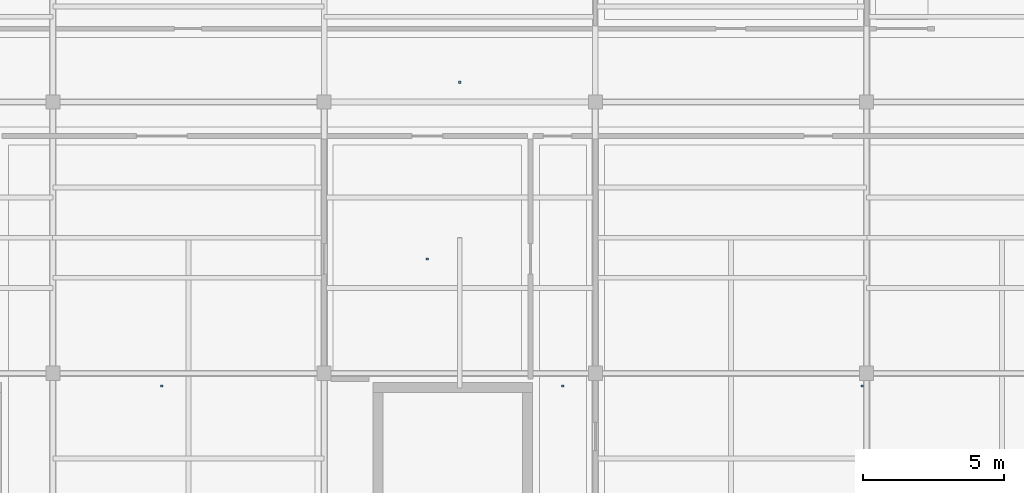
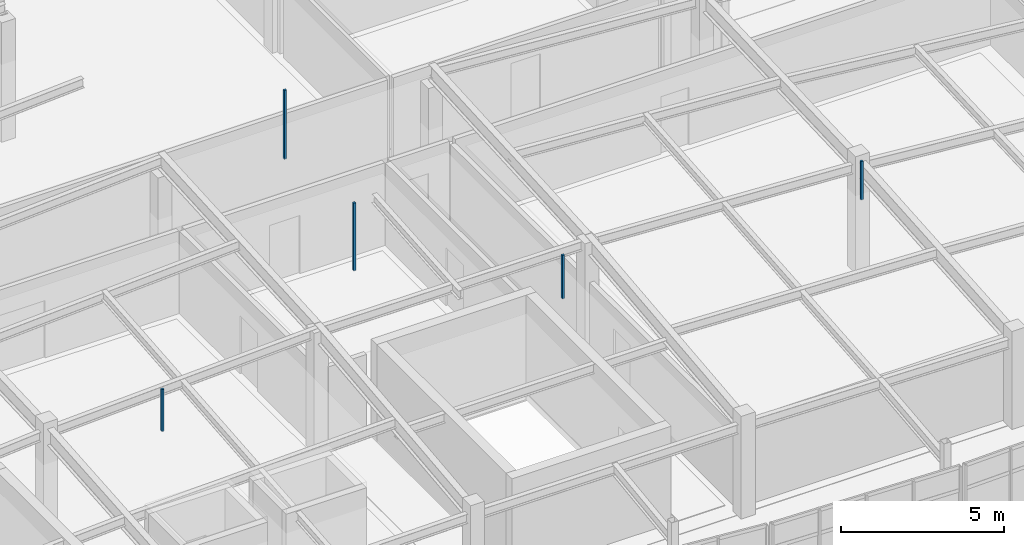
# One storey, part 62 of 65: 5 discrete accessories.
"""IFC4 building model written with IfcOpenShell, lengths in metres."""

import ifcopenshell
import ifcopenshell.guid

model = None  # the IFC model being written
_history = None  # IfcOwnerHistory: only IFC2X3 demands one
_inside = {}  # id of a spatial element -> (the spatial element, [elements in it])
_under = {}  # id of a project, library or spatial element -> (it, [spatial elements below it])
_declared = {}  # id of a project -> (the project, [libraries it declares])
_typed = {}  # id of a type object -> (the type object, [elements of that type])
_made_of = {}  # id of a material, layer set ... -> (it, [elements and type objects made of it])


def new_model(schema):
    """Start an empty IFC model of exactly this schema.

    Asked for "IFC4X3", IfcOpenShell would pick the latest addendum, in which some entities
    have other attributes; the version numbers below select the first issue.
    IFC2X3 requires an IfcOwnerHistory on every rooted entity: one is made here for all.
    """
    global model, _history
    if schema == "IFC4X3":
        model = ifcopenshell.file(schema_version=(4, 3, 0, 0))
    else:
        model = ifcopenshell.file(schema=schema)
    _inside.clear()
    _under.clear()
    _declared.clear()
    _typed.clear()
    _made_of.clear()
    _history = None
    if model.schema == "IFC2X3":
        org = make("IfcOrganization", Name="unknown")
        user = make(
            "IfcPersonAndOrganization",
            ThePerson=make("IfcPerson", FamilyName="unknown"),
            TheOrganization=org,
        )
        app = make(
            "IfcApplication",
            ApplicationDeveloper=org,
            Version="unknown",
            ApplicationFullName="unknown",
            ApplicationIdentifier="unknown",
        )
        _history = make(
            "IfcOwnerHistory",
            OwningUser=user,
            OwningApplication=app,
            ChangeAction="ADDED",
            CreationDate=0,
        )
    return model


def make(cls, **values):
    """One entity of the class cls with the attributes given. An attribute that is None is left unset."""
    return model.create_entity(
        cls, **{name: value for name, value in values.items() if value is not None}
    )


def rooted(cls, **values):
    """An entity with a GlobalId (a new one), such as an element, a storey or a relation."""
    return make(cls, GlobalId=ifcopenshell.guid.new(), OwnerHistory=_history, **values)


def si_unit(unit_type, name, prefix=None):
    """IfcSIUnit, for example si_unit("LENGTHUNIT", "METRE", prefix="MILLI")."""
    return make("IfcSIUnit", UnitType=unit_type, Prefix=prefix, Name=name)


def assignment(units):
    """IfcUnitAssignment: the units of a project."""
    return None if units is None else make("IfcUnitAssignment", Units=units)


def point(xyz):
    """IfcCartesianPoint."""
    return None if xyz is None else make("IfcCartesianPoint", Coordinates=xyz)


def direction(xyz):
    """IfcDirection."""
    return None if xyz is None else make("IfcDirection", DirectionRatios=xyz)


def frame(location, z_axis=None, x_axis=None):
    """IfcAxis2Placement3D, a coordinate frame: its origin and axes. An axis left out is left unset."""
    return make(
        "IfcAxis2Placement3D",
        Location=point(location),
        Axis=direction(z_axis),
        RefDirection=direction(x_axis),
    )


def frame_2d(location, x_axis=None):
    """IfcAxis2Placement2D, a coordinate frame in the plane: its origin and x axis."""
    return make(
        "IfcAxis2Placement2D", Location=point(location), RefDirection=direction(x_axis)
    )


def origin():
    """The frame at (0, 0, 0) with its axes left unset."""
    return frame((0.0, 0.0, 0.0))


def origin_2d():
    """The frame at (0, 0) in the plane with its x axis left unset."""
    return frame_2d((0.0, 0.0))


def place(relative_to, where):
    """IfcLocalPlacement: puts the frame where relative to a parent placement (None: the world)."""
    return make(
        "IfcLocalPlacement", PlacementRelTo=relative_to, RelativePlacement=where
    )


def context(
    kind, dimensions, precision=None, world=None, true_north=None, identifier=None
):
    """IfcGeometricRepresentationContext, for example the 3D "Model" context."""
    return make(
        "IfcGeometricRepresentationContext",
        ContextIdentifier=identifier,
        ContextType=kind,
        CoordinateSpaceDimension=dimensions,
        Precision=precision,
        WorldCoordinateSystem=world,
        TrueNorth=true_north,
    )


def subcontext(parent, identifier, kind, view, scale=None):
    """IfcGeometricRepresentationSubContext, for example "Body" below "Model"."""
    return make(
        "IfcGeometricRepresentationSubContext",
        ContextIdentifier=identifier,
        ContextType=kind,
        ParentContext=parent,
        TargetScale=scale,
        TargetView=view,
    )


def project(units=None, contexts=None):
    """IfcProject with its units and contexts."""
    return rooted(
        "IfcProject",
        Name="project",
        RepresentationContexts=contexts,
        UnitsInContext=assignment(units),
    )


def spatial(cls, under=None, at=None, **own):
    """A site, building, storey or space (cls), placed at a placement, below another one or the project."""
    s = rooted(cls, ObjectPlacement=at, **own)
    if under is not None:
        _under.setdefault(under.id(), (under, []))[1].append(s)
    return s


def profile(cls, at=None, kind="AREA", **sizes):
    """A parametric profile (cls). Its sizes go by their IFC names, for example OverallWidth=200.0."""
    return make(cls, ProfileType=kind, Position=at, **sizes)


def rectangle(**sizes):
    """IfcRectangleProfileDef."""
    return profile("IfcRectangleProfileDef", **sizes)


def extrude(swept, where, along, depth):
    """IfcExtrudedAreaSolid: the profile swept, set in the frame where, extruded along a direction by depth."""
    return make(
        "IfcExtrudedAreaSolid",
        SweptArea=swept,
        Position=where,
        ExtrudedDirection=direction(along),
        Depth=depth,
    )


def shape(context_of_items, identifier, shape_type, items):
    """IfcShapeRepresentation: the items that make up one representation, for example the "Body"."""
    return make(
        "IfcShapeRepresentation",
        ContextOfItems=context_of_items,
        RepresentationIdentifier=identifier,
        RepresentationType=shape_type,
        Items=items,
    )


def material(Name=None, Category=None):
    """IfcMaterial."""
    return make("IfcMaterial", Name=Name, Category=Category)


def made_of(thing, what):
    """Note that an element or type object is made of a material, layer set ...; save() writes the relation."""
    if what is not None:
        _made_of.setdefault(what.id(), (what, []))[1].append(thing)
    return thing


def type_object(cls, material=None, **own):
    """A type object (cls), such as IfcWallType, which elements share."""
    return made_of(rooted(cls, **own), material)


def element(
    cls,
    number,
    at=None,
    inside=None,
    cuts=None,
    type_object=None,
    material=None,
    context=None,
    identifier="Body",
    shape_type=None,
    held_by="IfcProductDefinitionShape",
    body=None,
    shapes=None,
    **own,
):
    """One element of the class cls, such as IfcWall. Its Tag is "e" and its number.

    at: its placement. inside: the storey or other place that contains it. cuts: it is an
    opening in that element (IfcRelVoidsElement). A single representation is given by context,
    identifier, shape_type and body (its items); several are given by shapes. held_by: the class
    of the entity that holds the representations. save() writes the other relations.
    """
    e = rooted(cls, Tag="e%d" % number, ObjectPlacement=at, **own)
    if body is not None:
        shapes = [shape(context, identifier, shape_type, body)]
    if shapes is not None:
        e.Representation = make(held_by, Representations=shapes)
    if inside is not None:
        _inside.setdefault(inside.id(), (inside, []))[1].append(e)
    if cuts is not None:
        rooted(
            "IfcRelVoidsElement", RelatingBuildingElement=cuts, RelatedOpeningElement=e
        )
    if type_object is not None:
        _typed.setdefault(type_object.id(), (type_object, []))[1].append(e)
    return made_of(e, material)


def aggregate(whole, parts):
    """IfcRelAggregates: a whole, such as a stair, and the parts it consists of."""
    return rooted("IfcRelAggregates", RelatingObject=whole, RelatedObjects=parts)


def save(model, path):
    """Write the relations noted so far, then the file.

    IfcRelAggregates (storeys below a building ...), IfcRelContainedInSpatialStructure (elements
    in a storey), IfcRelDefinesByType, IfcRelAssociatesMaterial and IfcRelDeclares: one each for
    every whole, place, type object, material and project.
    """
    for whole, parts in _under.values():
        aggregate(whole, parts)
    for where, things in _inside.values():
        rooted(
            "IfcRelContainedInSpatialStructure",
            RelatedElements=things,
            RelatingStructure=where,
        )
    for kind, things in _typed.values():
        rooted("IfcRelDefinesByType", RelatedObjects=things, RelatingType=kind)
    for what, things in _made_of.values():
        rooted("IfcRelAssociatesMaterial", RelatedObjects=things, RelatingMaterial=what)
    for by, libraries in _declared.values():
        rooted("IfcRelDeclares", RelatingContext=by, RelatedDefinitions=libraries)
    model.write(path)


model = new_model("IFC4")

# Units and contexts
model_context = context("Model", 3, precision=1e-05, world=origin(), true_north=direction((0.0, 1.0)))
body_context = subcontext(model_context, "Body", "Model", "MODEL_VIEW")
ifc_project = project(units=[si_unit("LENGTHUNIT", "METRE"), si_unit("AREAUNIT", "SQUARE_METRE"), si_unit("VOLUMEUNIT", "CUBIC_METRE"), si_unit("PLANEANGLEUNIT", "RADIAN"), si_unit("MASSUNIT", "GRAM", prefix="KILO")], contexts=[model_context])

# Site, building, storey
site_placement = place(None, origin())
site = spatial("IfcSite", under=ifc_project, at=site_placement, CompositionType="ELEMENT")
building_placement = place(site_placement, origin())
building = spatial("IfcBuilding", under=site, at=building_placement, Name="Chalmorin Arch Market", CompositionType="ELEMENT")
storey_placement = place(building_placement, frame((0.0, 0.0, 14.10009765625)))
storey = spatial("IfcBuildingStorey", under=building, at=storey_placement, Name="L03", CompositionType="ELEMENT", Elevation=14.10009765625)

# Discrete accessories
ifc_material = material(Name="Galvanized Cold-Formed Steel", Category="steel")
discrete_accessory_type = type_object("IfcDiscreteAccessoryType", Name="CeilingSuspensionBracket-80x80", PredefinedType="BRACKET", material=ifc_material)
discrete_accessory_1_placement = place(storey_placement, frame((61.449951171875, 81.14990234375, 2.90283203125), z_axis=(0.0, 0.0, 1.0), x_axis=(1.0, 0.0, 0.0)))
element("IfcDiscreteAccessory", 1, at=discrete_accessory_1_placement, inside=storey, type_object=discrete_accessory_type, Name="CSB-251", PredefinedType="BRACKET", context=body_context, shape_type="SweptSolid", body=[
    extrude(rectangle(XDim=0.080078125, YDim=0.080078125, at=origin_2d()), origin(), (0.0, 0.0, 1.0), 1.574951171875),
])
discrete_accessory_2_placement = place(storey_placement, frame((75.64990234375, 81.14990234375, 2.90283203125), z_axis=(0.0, 0.0, 1.0), x_axis=(1.0, 0.0, 0.0)))
element("IfcDiscreteAccessory", 2, at=discrete_accessory_2_placement, inside=storey, type_object=discrete_accessory_type, Name="CSB-253", PredefinedType="BRACKET", context=body_context, shape_type="SweptSolid", body=[
    extrude(rectangle(XDim=0.080078125, YDim=0.080078125, at=origin_2d()), origin(), (0.0, 0.0, 1.0), 1.632080078125),
])
discrete_accessory_3_placement = place(storey_placement, frame((70.85009765625, 85.64990234375, 2.908935546875), z_axis=(0.0, 0.0, 1.0), x_axis=(1.0, 0.0, 0.0)))
element("IfcDiscreteAccessory", 3, at=discrete_accessory_3_placement, inside=storey, type_object=discrete_accessory_type, Name="CSB-255", PredefinedType="BRACKET", context=body_context, shape_type="SweptSolid", body=[
    extrude(rectangle(XDim=0.080078125, YDim=0.080078125, at=origin_2d()), origin(), (0.0, 0.0, 1.0), 2.5390625),
])
discrete_accessory_4_placement = place(storey_placement, frame((86.25, 81.14990234375, 2.90283203125), z_axis=(0.0, 0.0, 1.0), x_axis=(1.0, 0.0, 0.0)))
element("IfcDiscreteAccessory", 4, at=discrete_accessory_4_placement, inside=storey, type_object=discrete_accessory_type, Name="CSB-257", PredefinedType="BRACKET", context=body_context, shape_type="SweptSolid", body=[
    extrude(rectangle(XDim=0.080078125, YDim=0.080078125, at=origin_2d()), origin(), (0.0, 0.0, 1.0), 1.443115234375),
])
discrete_accessory_5_placement = place(storey_placement, frame((72.0, 91.89990234375, 2.90283203125), z_axis=(0.0, 0.0, 1.0), x_axis=(1.0, 0.0, 0.0)))
element("IfcDiscreteAccessory", 5, at=discrete_accessory_5_placement, inside=storey, type_object=discrete_accessory_type, Name="CSB-259", PredefinedType="BRACKET", context=body_context, shape_type="SweptSolid", body=[
    extrude(rectangle(XDim=0.080078125, YDim=0.080078125, at=origin_2d()), origin(), (0.0, 0.0, 1.0), 2.576904296875),
])

save(model, "model.ifc")
